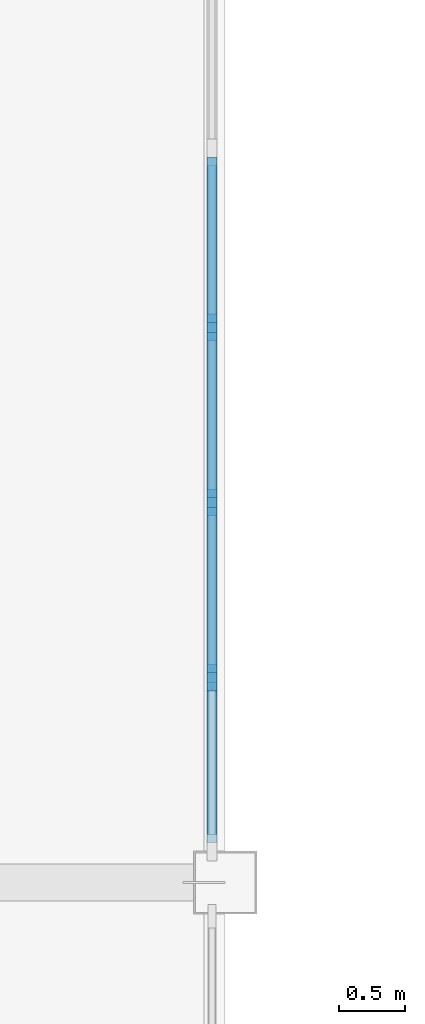
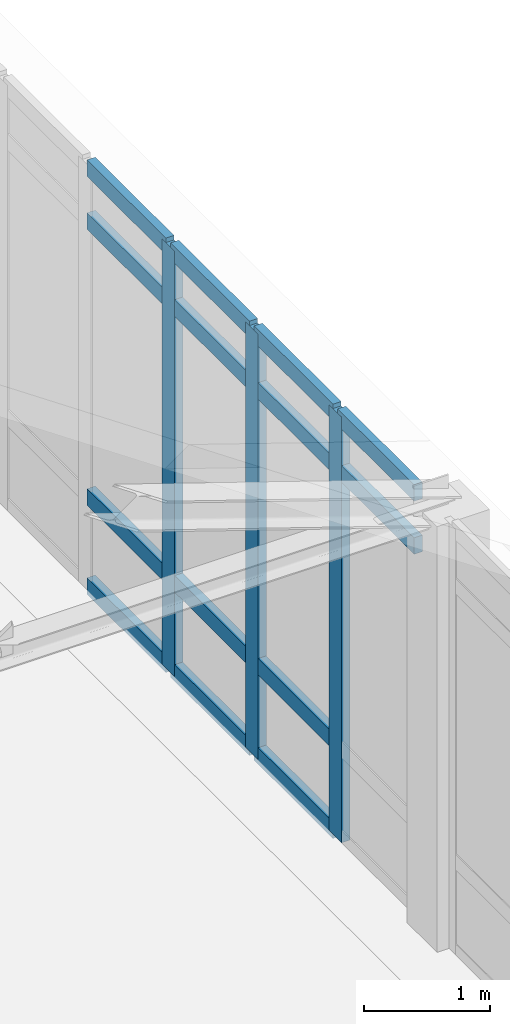
# One storey, part 68 of 192: 17 members, 1 element without a shape of its own.
"""IFC4 building model written with IfcOpenShell, lengths in metres."""

from ifc_helpers import new_model, si_unit, direction, frame, origin, origin_2d, place, context, subcontext, project, spatial, rectangle, extrude, material, layer, layer_set, material_profile, profile_set, type_object, element, aggregate, save


model = new_model("IFC4")

# Units and contexts
model_context = context("Model", 3, precision=1e-05, world=origin(), true_north=direction((0.0, 1.0)))
body_context = subcontext(model_context, "Body", "Model", "MODEL_VIEW")
ifc_project = project(units=[si_unit("LENGTHUNIT", "METRE"), si_unit("AREAUNIT", "SQUARE_METRE"), si_unit("VOLUMEUNIT", "CUBIC_METRE"), si_unit("PLANEANGLEUNIT", "RADIAN"), si_unit("MASSUNIT", "GRAM", prefix="KILO")], contexts=[model_context])

# Site, building, storey
site_placement = place(None, origin())
site = spatial("IfcSite", under=ifc_project, at=site_placement, CompositionType="ELEMENT")
building_placement = place(site_placement, origin())
building = spatial("IfcBuilding", under=site, at=building_placement, Name="Kveldsbrygga Polytechnic", CompositionType="ELEMENT")
storey_placement = place(building_placement, frame((0.0, 0.0, 5.43994140625)))
storey = spatial("IfcBuildingStorey", under=building, at=storey_placement, Name="L01", CompositionType="ELEMENT", Elevation=5.43994140625)

# Curtain wall, members
ifc_material = material(Name="Anodised aluminium AW-6060", Category="aluminium")
ifc_layer = layer(ifc_material, 0.159912109375)
ifc_layer_set = layer_set([ifc_layer], Name="Anodised aluminium AW-6060")
curtain_wall_type = type_object("IfcCurtainWallType", Name="CW-CLER-C", PredefinedType="USERDEFINED", material=ifc_layer_set)
curtain_wall_placement = place(storey_placement, origin())
curtain_wall = element("IfcCurtainWall", 1, at=curtain_wall_placement, inside=storey, type_object=curtain_wall_type, Name="Curtain Wall CW-L01-Y-09-07", ObjectType="STICK CURTAIN WALL", PredefinedType="USERDEFINED")
ifc_material_profile_1 = material_profile(ifc_material, rectangle(XDim=0.074951171875, YDim=0.199951171875, at=origin_2d()), Name="ALU 75x200")
ifc_profile_set_1 = profile_set([ifc_material_profile_1], Name="Anodised aluminium AW-6060")
member_type_1 = type_object("IfcMemberType", Name="CW-MUL-200", PredefinedType="MULLION", material=ifc_profile_set_1)
member_1_placement = place(storey_placement, frame((75.5, 60.35009765625, 0.0), z_axis=(0.0, 0.0, 1.0), x_axis=(-1.0, 0.0, 0.0)))
member_1 = element("IfcMember", 2, at=member_1_placement, type_object=member_type_1, Name="CW-03 mullion 2", PredefinedType="MULLION", context=body_context, shape_type="SweptSolid", body=[
    extrude(rectangle(XDim=0.074951171875, YDim=0.199951171875, at=origin_2d()), origin(), (0.0, 0.0, 1.0), 4.1201171875),
])
member_2_placement = place(storey_placement, frame((75.5, 61.675048828125, 0.0), z_axis=(0.0, 0.0, 1.0), x_axis=(-1.0, 0.0, 0.0)))
member_2 = element("IfcMember", 3, at=member_2_placement, type_object=member_type_1, Name="CW-03 mullion 3", PredefinedType="MULLION", context=body_context, shape_type="SweptSolid", body=[
    extrude(rectangle(XDim=0.074951171875, YDim=0.199951171875, at=origin_2d()), origin(), (0.0, 0.0, 1.0), 4.1201171875),
])
member_3_placement = place(storey_placement, frame((75.5, 63.0, 0.0), z_axis=(0.0, 0.0, 1.0), x_axis=(-1.0, 0.0, 0.0)))
member_3 = element("IfcMember", 4, at=member_3_placement, type_object=member_type_1, Name="CW-03 mullion 4", PredefinedType="MULLION", context=body_context, shape_type="SweptSolid", body=[
    extrude(rectangle(XDim=0.074951171875, YDim=0.199951171875, at=origin_2d()), origin(), (0.0, 0.0, 1.0), 4.1201171875),
])
ifc_material_profile_2 = material_profile(ifc_material, rectangle(XDim=0.074951171875, YDim=0.159912109375, at=origin_2d()), Name="ALU 75x160")
ifc_profile_set_2 = profile_set([ifc_material_profile_2], Name="Anodised aluminium AW-6060")
member_type_2 = type_object("IfcMemberType", Name="CW-TRN-160", PredefinedType="USERDEFINED", material=ifc_profile_set_2)
member_4_placement = place(storey_placement, frame((75.5, 59.10009765625, 3.570068359375), z_axis=(0.0, 1.0, 0.0), x_axis=(-1.0, 0.0, 0.0)))
member_4 = element("IfcMember", 5, at=member_4_placement, type_object=member_type_2, Name="CW-03 transom 1.3", ObjectType="TRANSOM", PredefinedType="USERDEFINED", context=body_context, shape_type="SweptSolid", body=[
    extrude(rectangle(XDim=0.074951171875, YDim=0.159912109375, at=origin_2d()), origin(), (0.0, 0.0, 1.0), 1.21240234375),
])
member_5_placement = place(storey_placement, frame((75.5, 59.10009765625, 4.08251953125), z_axis=(0.0, 1.0, 0.0), x_axis=(-1.0, 0.0, 0.0)))
member_5 = element("IfcMember", 6, at=member_5_placement, type_object=member_type_2, Name="CW-03 transom 1.4", ObjectType="TRANSOM", PredefinedType="USERDEFINED", context=body_context, shape_type="SweptSolid", body=[
    extrude(rectangle(XDim=0.074951171875, YDim=0.159912109375, at=origin_2d()), origin(), (0.0, 0.0, 1.0), 1.21240234375),
])
member_6_placement = place(storey_placement, frame((75.5, 60.387451171875, 0.03759765625), z_axis=(0.0, 1.0, 0.0), x_axis=(-1.0, 0.0, 0.0)))
member_6 = element("IfcMember", 7, at=member_6_placement, type_object=member_type_2, Name="CW-03 transom 2.1", ObjectType="TRANSOM", PredefinedType="USERDEFINED", context=body_context, shape_type="SweptSolid", body=[
    extrude(rectangle(XDim=0.074951171875, YDim=0.159912109375, at=origin_2d()), origin(), (0.0, 0.0, 1.0), 1.25),
])
member_7_placement = place(storey_placement, frame((75.5, 60.387451171875, 0.900146484375), z_axis=(0.0, 1.0, 0.0), x_axis=(-1.0, 0.0, 0.0)))
member_7 = element("IfcMember", 8, at=member_7_placement, type_object=member_type_2, Name="CW-03 transom 2.2", ObjectType="TRANSOM", PredefinedType="USERDEFINED", context=body_context, shape_type="SweptSolid", body=[
    extrude(rectangle(XDim=0.074951171875, YDim=0.159912109375, at=origin_2d()), origin(), (0.0, 0.0, 1.0), 1.25),
])
member_8_placement = place(storey_placement, frame((75.5, 60.387451171875, 3.570068359375), z_axis=(0.0, 1.0, 0.0), x_axis=(-1.0, 0.0, 0.0)))
member_8 = element("IfcMember", 9, at=member_8_placement, type_object=member_type_2, Name="CW-03 transom 2.3", ObjectType="TRANSOM", PredefinedType="USERDEFINED", context=body_context, shape_type="SweptSolid", body=[
    extrude(rectangle(XDim=0.074951171875, YDim=0.159912109375, at=origin_2d()), origin(), (0.0, 0.0, 1.0), 1.25),
])
member_9_placement = place(storey_placement, frame((75.5, 60.387451171875, 4.08251953125), z_axis=(0.0, 1.0, 0.0), x_axis=(-1.0, 0.0, 0.0)))
member_9 = element("IfcMember", 10, at=member_9_placement, type_object=member_type_2, Name="CW-03 transom 2.4", ObjectType="TRANSOM", PredefinedType="USERDEFINED", context=body_context, shape_type="SweptSolid", body=[
    extrude(rectangle(XDim=0.074951171875, YDim=0.159912109375, at=origin_2d()), origin(), (0.0, 0.0, 1.0), 1.25),
])
member_10_placement = place(storey_placement, frame((75.5, 61.71240234375, 0.03759765625), z_axis=(0.0, 1.0, 0.0), x_axis=(-1.0, 0.0, 0.0)))
member_10 = element("IfcMember", 11, at=member_10_placement, type_object=member_type_2, Name="CW-03 transom 3.1", ObjectType="TRANSOM", PredefinedType="USERDEFINED", context=body_context, shape_type="SweptSolid", body=[
    extrude(rectangle(XDim=0.074951171875, YDim=0.159912109375, at=origin_2d()), origin(), (0.0, 0.0, 1.0), 1.25),
])
member_11_placement = place(storey_placement, frame((75.5, 61.71240234375, 0.900146484375), z_axis=(0.0, 1.0, 0.0), x_axis=(-1.0, 0.0, 0.0)))
member_11 = element("IfcMember", 12, at=member_11_placement, type_object=member_type_2, Name="CW-03 transom 3.2", ObjectType="TRANSOM", PredefinedType="USERDEFINED", context=body_context, shape_type="SweptSolid", body=[
    extrude(rectangle(XDim=0.074951171875, YDim=0.159912109375, at=origin_2d()), origin(), (0.0, 0.0, 1.0), 1.25),
])
member_12_placement = place(storey_placement, frame((75.5, 61.71240234375, 3.570068359375), z_axis=(0.0, 1.0, 0.0), x_axis=(-1.0, 0.0, 0.0)))
member_12 = element("IfcMember", 13, at=member_12_placement, type_object=member_type_2, Name="CW-03 transom 3.3", ObjectType="TRANSOM", PredefinedType="USERDEFINED", context=body_context, shape_type="SweptSolid", body=[
    extrude(rectangle(XDim=0.074951171875, YDim=0.159912109375, at=origin_2d()), origin(), (0.0, 0.0, 1.0), 1.25),
])
member_13_placement = place(storey_placement, frame((75.5, 61.71240234375, 4.08251953125), z_axis=(0.0, 1.0, 0.0), x_axis=(-1.0, 0.0, 0.0)))
member_13 = element("IfcMember", 14, at=member_13_placement, type_object=member_type_2, Name="CW-03 transom 3.4", ObjectType="TRANSOM", PredefinedType="USERDEFINED", context=body_context, shape_type="SweptSolid", body=[
    extrude(rectangle(XDim=0.074951171875, YDim=0.159912109375, at=origin_2d()), origin(), (0.0, 0.0, 1.0), 1.25),
])
member_14_placement = place(storey_placement, frame((75.5, 63.03759765625, 0.03759765625), z_axis=(0.0, 1.0, 0.0), x_axis=(-1.0, 0.0, 0.0)))
member_14 = element("IfcMember", 15, at=member_14_placement, type_object=member_type_2, Name="CW-03 transom 4.1", ObjectType="TRANSOM", PredefinedType="USERDEFINED", context=body_context, shape_type="SweptSolid", body=[
    extrude(rectangle(XDim=0.074951171875, YDim=0.159912109375, at=origin_2d()), origin(), (0.0, 0.0, 1.0), 1.25),
])
member_15_placement = place(storey_placement, frame((75.5, 63.03759765625, 0.900146484375), z_axis=(0.0, 1.0, 0.0), x_axis=(-1.0, 0.0, 0.0)))
member_15 = element("IfcMember", 16, at=member_15_placement, type_object=member_type_2, Name="CW-03 transom 4.2", ObjectType="TRANSOM", PredefinedType="USERDEFINED", context=body_context, shape_type="SweptSolid", body=[
    extrude(rectangle(XDim=0.074951171875, YDim=0.159912109375, at=origin_2d()), origin(), (0.0, 0.0, 1.0), 1.25),
])
member_16_placement = place(storey_placement, frame((75.5, 63.03759765625, 3.570068359375), z_axis=(0.0, 1.0, 0.0), x_axis=(-1.0, 0.0, 0.0)))
member_16 = element("IfcMember", 17, at=member_16_placement, type_object=member_type_2, Name="CW-03 transom 4.3", ObjectType="TRANSOM", PredefinedType="USERDEFINED", context=body_context, shape_type="SweptSolid", body=[
    extrude(rectangle(XDim=0.074951171875, YDim=0.159912109375, at=origin_2d()), origin(), (0.0, 0.0, 1.0), 1.25),
])
member_17_placement = place(storey_placement, frame((75.5, 63.03759765625, 4.08251953125), z_axis=(0.0, 1.0, 0.0), x_axis=(-1.0, 0.0, 0.0)))
member_17 = element("IfcMember", 18, at=member_17_placement, type_object=member_type_2, Name="CW-03 transom 4.4", ObjectType="TRANSOM", PredefinedType="USERDEFINED", context=body_context, shape_type="SweptSolid", body=[
    extrude(rectangle(XDim=0.074951171875, YDim=0.159912109375, at=origin_2d()), origin(), (0.0, 0.0, 1.0), 1.25),
])
aggregate(curtain_wall, [member_1, member_2, member_3, member_4, member_5, member_6, member_7, member_8, member_9, member_10, member_11, member_12, member_13, member_14, member_15, member_16, member_17])

save(model, "model.ifc")
